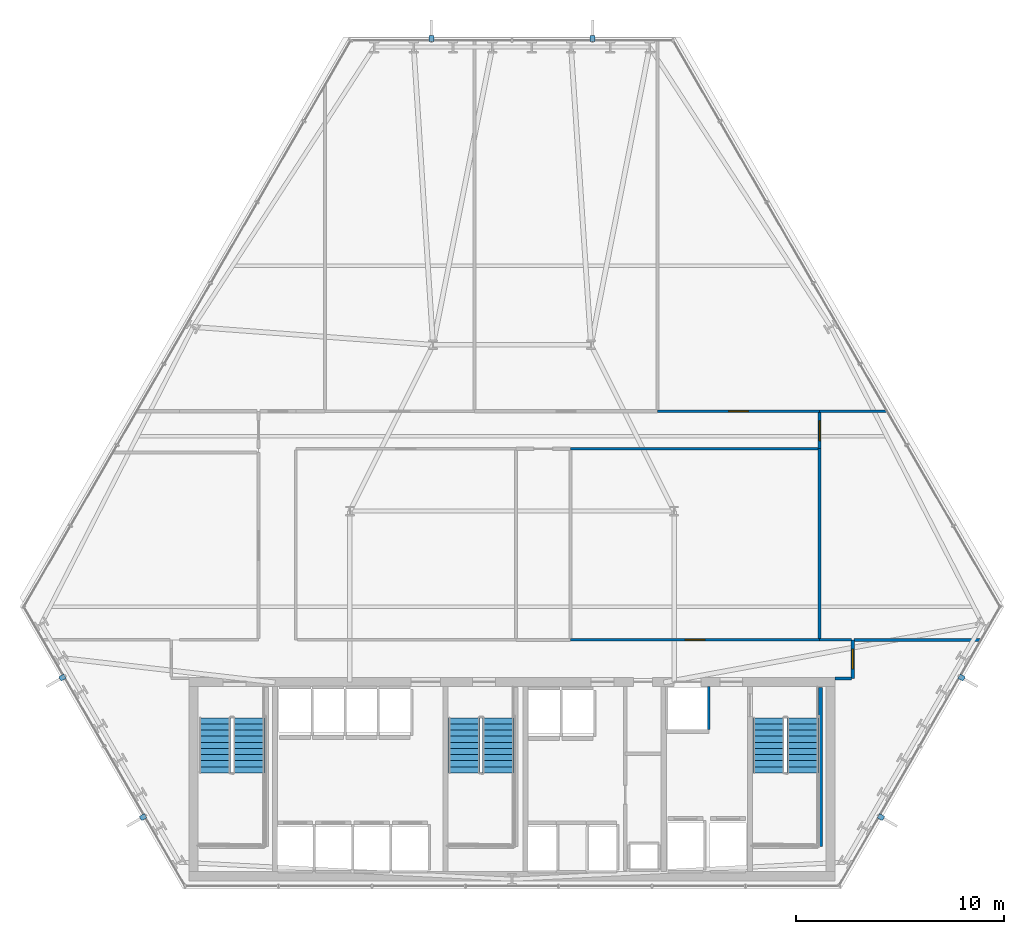
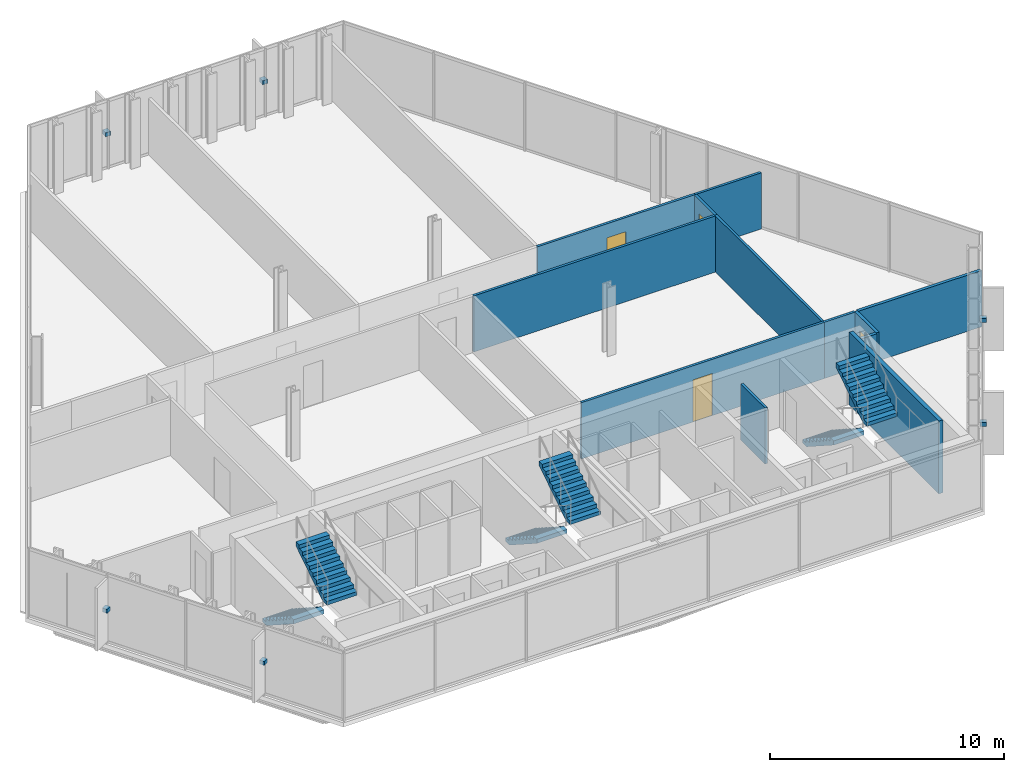
# One storey, part 28 of 32: 12 walls, 6 discrete accessories, 6 stair flights, 4 doors, 4 openings, 3 elements without a shape of their own.
"""IFC4 building model written with IfcOpenShell, lengths in metres."""

from ifc_helpers import new_model, si_unit, direction, frame, frame_2d, origin, origin_2d, place, context, subcontext, project, spatial, polyline, rectangle, outline, extrude, material, layer, layer_set, type_object, element, fill, aggregate, save


model = new_model("IFC4")

# Units and contexts
model_context = context("Model", 3, precision=1e-05, world=origin(), true_north=direction((0.0, 1.0)))
body_context = subcontext(model_context, "Body", "Model", "MODEL_VIEW")
ifc_project = project(units=[si_unit("LENGTHUNIT", "METRE"), si_unit("AREAUNIT", "SQUARE_METRE"), si_unit("VOLUMEUNIT", "CUBIC_METRE"), si_unit("PLANEANGLEUNIT", "RADIAN"), si_unit("MASSUNIT", "GRAM", prefix="KILO")], contexts=[model_context])

# Site, building, storey
site_placement = place(None, origin())
site = spatial("IfcSite", under=ifc_project, at=site_placement, CompositionType="ELEMENT")
building_placement = place(site_placement, origin())
building = spatial("IfcBuilding", under=site, at=building_placement, Name="Ndaravel Arena Tower", CompositionType="ELEMENT")
storey_placement = place(building_placement, frame((0.0, 0.0, 58.800048828125)))
storey = spatial("IfcBuildingStorey", under=building, at=storey_placement, Name="L12", CompositionType="ELEMENT", Elevation=58.800048828125)

# Wall, opening, door
ifc_material_1 = material(Name="Gypsum", Category="gypsum")
ifc_layer_1 = layer(ifc_material_1, 0.125)
ifc_layer_set_1 = layer_set([ifc_layer_1], Name="Gypsum")
wall_type_1 = type_object("IfcWallType", Name="WALL-PART-125", PredefinedType="PARTITIONING", material=ifc_layer_set_1)
wall_1_placement = place(storey_placement, frame((49.0, 28.0, 0.0), z_axis=(0.0, 0.0, 1.0), x_axis=(1.0, 0.0, 0.0)))
wall_1 = element("IfcWall", 1, at=wall_1_placement, inside=storey, type_object=wall_type_1, Name="L12 Interior Partition 012", PredefinedType="PARTITIONING", context=body_context, shape_type="SweptSolid", body=[
    extrude(rectangle(XDim=7.800048828125, YDim=0.125, at=frame_2d((3.89990234375, 0.0))), origin(), (0.0, 0.0, 1.0), 2.932861328125),
])
opening_1_placement = place(wall_1_placement, frame((3.425048828125, 0.0, 0.0)))
opening_1 = element("IfcOpeningElement", 2, at=opening_1_placement, cuts=wall_1, Name="Opening ID-01", PredefinedType="OPENING", context=body_context, shape_type="SweptSolid", body=[
    extrude(rectangle(XDim=0.949951171875, YDim=2.199951171875, at=frame_2d((0.47509765625, 1.10009765625))), frame((0.0, 0.0625, 0.0), z_axis=(0.0, -1.0, 0.0), x_axis=(1.0, 0.0, 0.0)), (0.0, 0.0, 1.0), 0.125),
])
ifc_material_2 = material(Name="Timber", Category="wood")
door_type_1 = type_object("IfcDoorType", Name="DT-03-OFFICE-950", OperationType="SINGLE_SWING_LEFT", PredefinedType="DOOR", material=ifc_material_2)
door_1_placement = place(opening_1_placement, origin())
door_1 = element("IfcDoor", 3, at=door_1_placement, inside=storey, type_object=door_type_1, Name="L12 Barista Galley 3 Door", OperationType="SINGLE_SWING_RIGHT", OverallHeight=2.199951171875, OverallWidth=0.949951171875, PredefinedType="DOOR", context=body_context, shape_type="SweptSolid", body=[
    extrude(rectangle(XDim=0.949951171875, YDim=2.199951171875, at=frame_2d((0.47509765625, 1.10009765625))), frame((0.0, 0.02490234375, 0.0), z_axis=(0.0, -1.0, 0.0), x_axis=(1.0, 0.0, 0.0)), (0.0, 0.0, 1.0), 0.050048828125),
])
fill(opening_1, door_1)

wall_2_placement = place(storey_placement, frame((56.800048828125, 27.93505859375, 0.0), z_axis=(0.0, 0.0, 1.0), x_axis=(0.0, -1.0, 0.0)))
wall_2 = element("IfcWall", 4, at=wall_2_placement, inside=storey, type_object=wall_type_1, Name="L12 Interior Partition 013", PredefinedType="PARTITIONING", context=body_context, shape_type="SweptSolid", body=[
    extrude(rectangle(XDim=1.735107421875, YDim=0.125, at=frame_2d((0.86767578125, 0.0))), origin(), (0.0, 0.0, 1.0), 2.932861328125),
])
opening_2_placement = place(wall_2_placement, frame((0.392578125, 0.0, 0.0)))
opening_2 = element("IfcOpeningElement", 5, at=opening_2_placement, cuts=wall_2, Name="Opening ID-01", PredefinedType="OPENING", context=body_context, shape_type="SweptSolid", body=[
    extrude(rectangle(XDim=0.949951171875, YDim=2.199951171875, at=frame_2d((0.47509765625, 1.10009765625))), frame((0.0, 0.0625, 0.0), z_axis=(0.0, -1.0, 0.0), x_axis=(1.0, 0.0, 0.0)), (0.0, 0.0, 1.0), 0.125),
])
door_2_placement = place(opening_2_placement, origin())
door_2 = element("IfcDoor", 6, at=door_2_placement, inside=storey, type_object=door_type_1, Name="L12 Advisory Desk Office 3 Door", OperationType="SINGLE_SWING_LEFT", OverallHeight=2.199951171875, OverallWidth=0.949951171875, PredefinedType="DOOR", context=body_context, shape_type="SweptSolid", body=[
    extrude(rectangle(XDim=0.949951171875, YDim=2.199951171875, at=frame_2d((0.47509765625, 1.10009765625))), frame((0.0, 0.02490234375, 0.0), z_axis=(0.0, -1.0, 0.0), x_axis=(1.0, 0.0, 0.0)), (0.0, 0.0, 1.0), 0.050048828125),
])
fill(opening_2, door_2)

# Wall
wall_3_placement = place(storey_placement, frame((56.735107421875, 26.199951171875, 0.0), z_axis=(0.0, 0.0, 1.0), x_axis=(-1.0, 0.0, 0.0)))
element("IfcWall", 7, at=wall_3_placement, inside=storey, type_object=wall_type_1, Name="L12 Interior Partition 014", PredefinedType="PARTITIONING", context=body_context, shape_type="SweptSolid", body=[
    extrude(rectangle(XDim=11.920166015625, YDim=0.125, at=frame_2d((5.9599609375, 0.0))), origin(), (0.0, 0.0, 1.0), 2.932861328125),
])

# Wall, opening, door
wall_4_placement = place(storey_placement, frame((44.81494140625, 17.0, 0.0), z_axis=(0.0, 0.0, 1.0), x_axis=(1.0, 0.0, 0.0)))
wall_4 = element("IfcWall", 8, at=wall_4_placement, inside=storey, type_object=wall_type_1, Name="L12 Interior Partition 020", PredefinedType="PARTITIONING", context=body_context, shape_type="SweptSolid", body=[
    extrude(rectangle(XDim=11.985107421875, YDim=0.125, at=frame_2d((5.99267578125, 0.0))), origin(), (0.0, 0.0, 1.0), 2.932861328125),
])
opening_3_placement = place(wall_4_placement, frame((5.517578125, 0.0, 0.0)))
opening_3 = element("IfcOpeningElement", 9, at=opening_3_placement, cuts=wall_4, Name="Opening ID-01", PredefinedType="OPENING", context=body_context, shape_type="SweptSolid", body=[
    extrude(rectangle(XDim=0.949951171875, YDim=2.199951171875, at=frame_2d((0.47509765625, 1.10009765625))), frame((0.0, 0.0625, 0.0), z_axis=(0.0, -1.0, 0.0), x_axis=(1.0, 0.0, 0.0)), (0.0, 0.0, 1.0), 0.125),
])
door_3_placement = place(opening_3_placement, origin())
door_3 = element("IfcDoor", 10, at=door_3_placement, inside=storey, type_object=door_type_1, Name="L12 Cellular Partner Office 2 Door", OperationType="SINGLE_SWING_RIGHT", OverallHeight=2.199951171875, OverallWidth=0.949951171875, PredefinedType="DOOR", context=body_context, shape_type="SweptSolid", body=[
    extrude(rectangle(XDim=0.949951171875, YDim=2.199951171875, at=frame_2d((0.47509765625, 1.10009765625))), frame((0.0, 0.02490234375, 0.0), z_axis=(0.0, -1.0, 0.0), x_axis=(1.0, 0.0, 0.0)), (0.0, 0.0, 1.0), 0.050048828125),
])
fill(opening_3, door_3)

# Walls
wall_5_placement = place(storey_placement, frame((56.800048828125, 17.0, 0.0), z_axis=(0.0, 0.0, 1.0), x_axis=(1.0, 0.0, 0.0)))
element("IfcWall", 11, at=wall_5_placement, inside=storey, type_object=wall_type_1, Name="L12 Interior Partition 021", PredefinedType="PARTITIONING", context=body_context, shape_type="SweptSolid", body=[
    extrude(rectangle(XDim=1.534912109375, YDim=0.125, at=frame_2d((0.767578125, 0.0))), origin(), (0.0, 0.0, 1.0), 2.932861328125),
])
wall_6_placement = place(storey_placement, frame((56.800048828125, 26.199951171875, 0.0), z_axis=(0.0, 0.0, 1.0), x_axis=(0.0, -1.0, 0.0)))
element("IfcWall", 12, at=wall_6_placement, inside=storey, type_object=wall_type_1, Name="L12 Interior Partition 027", PredefinedType="PARTITIONING", context=body_context, shape_type="SweptSolid", body=[
    extrude(rectangle(XDim=9.135009765625, YDim=0.125, at=frame_2d((4.5673828125, 0.0))), origin(), (0.0, 0.0, 1.0), 2.932861328125),
])
wall_7_placement = place(storey_placement, frame((56.800048828125, 28.0, 0.0), z_axis=(0.0, 0.0, 1.0), x_axis=(1.0, 0.0, 0.0)))
element("IfcWall", 13, at=wall_7_placement, inside=storey, type_object=wall_type_1, Name="L12 Interior Partition 028", PredefinedType="PARTITIONING", context=body_context, shape_type="SweptSolid", body=[
    extrude(rectangle(XDim=3.260498046875, YDim=0.125, at=frame_2d((1.63037109375, 0.0))), origin(), (0.0, 0.0, 1.0), 2.932861328125),
])
ifc_material_3 = material(Name="Concrete C40/50", Category="concrete")
ifc_layer_2 = layer(ifc_material_3, 0.1201171875)
ifc_layer_set_2 = layer_set([ifc_layer_2], Name="Concrete C40/50")
wall_type_2 = type_object("IfcWallType", Name="WALL-SHAFT-120", PredefinedType="SOLIDWALL", material=ifc_layer_set_2)
wall_8_placement = place(storey_placement, frame((51.47998046875, 12.68994140625, 0.0), z_axis=(0.0, 0.0, 1.0), x_axis=(0.0, 1.0, 0.0)))
element("IfcWall", 14, at=wall_8_placement, inside=storey, type_object=wall_type_2, Name="L12 SVL-1 Shaft E Wall", PredefinedType="SOLIDWALL", context=body_context, shape_type="SweptSolid", body=[
    extrude(rectangle(XDim=2.070068359375, YDim=0.1201171875, at=frame_2d((1.03515625, 0.0))), origin(), (0.0, 0.0, 1.0), 2.932861328125),
])
ifc_material_4 = material(Name="Concrete C40/50", Category="concrete")
ifc_layer_3 = layer(ifc_material_4, 0.199951171875)
ifc_layer_set_3 = layer_set([ifc_layer_3], Name="Concrete C40/50")
wall_type_3 = type_object("IfcWallType", Name="WALL-SHAFT-200", PredefinedType="SOLIDWALL", material=ifc_layer_set_3)
wall_9_placement = place(storey_placement, frame((56.840087890625, 14.699951171875, 0.0), z_axis=(0.0, 0.0, 1.0), x_axis=(0.0, -1.0, 0.0)))
element("IfcWall", 15, at=wall_9_placement, inside=storey, type_object=wall_type_3, Name="L12 ST-3 Structural Shaft Wall Right", PredefinedType="SOLIDWALL", context=body_context, shape_type="SweptSolid", body=[
    extrude(rectangle(XDim=7.64990234375, YDim=0.199951171875, at=frame_2d((3.824951171875, 0.0))), origin(), (0.0, 0.0, 1.0), 3.800048828125),
])

# Wall, opening, door
ifc_material_5 = material(Name="Masonry", Category="masonry")
ifc_layer_4 = layer(ifc_material_5, 0.14990234375)
ifc_layer_set_4 = layer_set([ifc_layer_4], Name="Masonry")
wall_type_4 = type_object("IfcWallType", Name="WALL-WET-150", PredefinedType="PARTITIONING", material=ifc_layer_set_4)
wall_10_placement = place(storey_placement, frame((58.39990234375, 17.0, 0.0), z_axis=(0.0, 0.0, 1.0), x_axis=(0.0, -1.0, 0.0)))
wall_10 = element("IfcWall", 16, at=wall_10_placement, inside=storey, type_object=wall_type_4, Name="L12 Interior Partition 001", PredefinedType="PARTITIONING", context=body_context, shape_type="SweptSolid", body=[
    extrude(rectangle(XDim=1.85009765625, YDim=0.14990234375, at=frame_2d((0.925048828125, 0.0))), origin(), (0.0, 0.0, 1.0), 2.932861328125),
])
opening_4_placement = place(wall_10_placement, frame((0.449951171875, 0.0, 0.0)))
opening_4 = element("IfcOpeningElement", 17, at=opening_4_placement, cuts=wall_10, Name="Opening FD-03", PredefinedType="OPENING", context=body_context, shape_type="SweptSolid", body=[
    extrude(rectangle(XDim=0.949951171875, YDim=2.199951171875, at=frame_2d((0.47509765625, 1.10009765625))), frame((0.0, 0.074951171875, 0.0), z_axis=(0.0, -1.0, 0.0), x_axis=(1.0, 0.0, 0.0)), (0.0, 0.0, 1.0), 0.14990234375),
])
ifc_material_6 = material(Name="Steel S355", Category="steel")
door_type_2 = type_object("IfcDoorType", Name="DT-11-CORE-950", OperationType="SINGLE_SWING_LEFT", PredefinedType="DOOR", material=ifc_material_6)
door_4_placement = place(opening_4_placement, origin())
door_4 = element("IfcDoor", 18, at=door_4_placement, inside=storey, type_object=door_type_2, Name="L12 Staff Espresso Kitchen Door", OperationType="SINGLE_SWING_RIGHT", OverallHeight=2.199951171875, OverallWidth=0.949951171875, PredefinedType="DOOR", context=body_context, shape_type="SweptSolid", body=[
    extrude(rectangle(XDim=0.949951171875, YDim=2.199951171875, at=frame_2d((0.47509765625, 1.10009765625))), frame((0.0, 0.02490234375, 0.0), z_axis=(0.0, -1.0, 0.0), x_axis=(1.0, 0.0, 0.0)), (0.0, 0.0, 1.0), 0.050048828125),
])
fill(opening_4, door_4)

# Walls
wall_11_placement = place(storey_placement, frame((58.3349609375, 15.14990234375, 0.0), z_axis=(0.0, 0.0, 1.0), x_axis=(-1.0, 0.0, 0.0)))
element("IfcWall", 19, at=wall_11_placement, inside=storey, type_object=wall_type_4, Name="L12 Interior Partition 002", PredefinedType="PARTITIONING", context=body_context, shape_type="SweptSolid", body=[
    extrude(rectangle(XDim=0.784912109375, YDim=0.14990234375, at=frame_2d((0.392578125, 0.0))), origin(), (0.0, 0.0, 1.0), 2.932861328125),
])
wall_12_placement = place(storey_placement, frame((58.465087890625, 17.0, 0.0), z_axis=(0.0, 0.0, 1.0), x_axis=(1.0, 0.0, 0.0)))
element("IfcWall", 20, at=wall_12_placement, inside=storey, type_object=wall_type_4, Name="L12 Interior Partition 023", PredefinedType="PARTITIONING", context=body_context, shape_type="SweptSolid", body=[
    extrude(rectangle(XDim=6.105712890625, YDim=0.14990234375, at=frame_2d((3.052734375, 0.0))), origin(), (0.0, 0.0, 1.0), 2.932861328125),
])

# Stair, stair flights
ifc_material_7 = material(Name="Concrete C40/50", Category="concrete")
stair_type = type_object("IfcStairType", Name="STAIR-CORE-HT", PredefinedType="HALF_TURN_STAIR", material=ifc_material_7)
stair_1_placement = place(storey_placement, origin())
stair_1 = element("IfcStair", 21, at=stair_1_placement, inside=storey, type_object=stair_type, Name="L12 ST-1", PredefinedType="HALF_TURN_STAIR")
ifc_material_8 = material(Name="Concrete C40/50", Category="concrete")
stair_flight_type = type_object("IfcStairFlightType", Name="SFLIGHT-CORE-1680", PredefinedType="STRAIGHT", material=ifc_material_8)
stair_flight_1_placement = place(storey_placement, frame((27.699951171875, 13.25, 0.0), z_axis=(0.0, 0.0, 1.0), x_axis=(0.0, -1.0, 0.0)))
stair_flight_1 = element("IfcStairFlight", 22, at=stair_flight_1_placement, type_object=stair_flight_type, Name="ST-1 flight 1", NumberOfRisers=10, NumberOfTreads=9, PredefinedType="STRAIGHT", RiserHeight=0.19, TreadLength=0.295, context=body_context, shape_type="SweptSolid", body=[
    extrude(outline(polyline([(0.0, 0.0), (0.0, 0.18994140625), (0.294921875, 0.18994140625), (0.294921875, 0.3798828125), (0.590087890625, 0.3798828125), (0.590087890625, 0.570068359375), (0.885009765625, 0.570068359375), (0.885009765625, 0.760009765625), (1.179931640625, 0.760009765625), (1.179931640625, 0.949951171875), (1.47509765625, 0.949951171875), (1.47509765625, 1.139892578125), (1.77001953125, 1.139892578125), (1.77001953125, 1.330078125), (2.06494140625, 1.330078125), (2.06494140625, 1.52001953125), (2.360107421875, 1.52001953125), (2.360107421875, 1.7099609375), (2.655029296875, 1.7099609375), (2.655029296875, 1.89990234375), (2.655029296875, 1.49609375), (0.332275390625, 0.0), (0.0, 0.0)])), frame((0.0, 0.75, 0.0), z_axis=(0.0, -1.0, 0.0), x_axis=(1.0, 0.0, 0.0)), (0.0, 0.0, 1.0), 1.5),
])
stair_flight_2_placement = place(storey_placement, frame((29.340087890625, 10.594970703125, 1.89990234375), z_axis=(0.0, 0.0, 1.0), x_axis=(0.0, 1.0, 0.0)))
stair_flight_2 = element("IfcStairFlight", 23, at=stair_flight_2_placement, type_object=stair_flight_type, Name="ST-1 flight 2", NumberOfRisers=10, NumberOfTreads=9, PredefinedType="STRAIGHT", RiserHeight=0.19, TreadLength=0.295, context=body_context, shape_type="SweptSolid", body=[
    extrude(outline(polyline([(0.0, 0.0), (0.0, 0.18994140625), (0.294921875, 0.18994140625), (0.294921875, 0.3798828125), (0.590087890625, 0.3798828125), (0.590087890625, 0.570068359375), (0.885009765625, 0.570068359375), (0.885009765625, 0.760009765625), (1.179931640625, 0.760009765625), (1.179931640625, 0.949951171875), (1.47509765625, 0.949951171875), (1.47509765625, 1.139892578125), (1.77001953125, 1.139892578125), (1.77001953125, 1.330078125), (2.06494140625, 1.330078125), (2.06494140625, 1.52001953125), (2.360107421875, 1.52001953125), (2.360107421875, 1.7099609375), (2.655029296875, 1.7099609375), (2.655029296875, 1.89990234375), (2.655029296875, 1.49609375), (0.332275390625, 0.0), (0.0, 0.0)])), frame((0.0, 0.75, 0.0), z_axis=(0.0, -1.0, 0.0), x_axis=(1.0, 0.0, 0.0)), (0.0, 0.0, 1.0), 1.5),
])
aggregate(stair_1, [stair_flight_1, stair_flight_2])

stair_2_placement = place(storey_placement, origin())
stair_2 = element("IfcStair", 24, at=stair_2_placement, inside=storey, type_object=stair_type, Name="L12 ST-2", PredefinedType="HALF_TURN_STAIR")
stair_flight_3_placement = place(storey_placement, frame((39.699951171875, 13.25, 0.0), z_axis=(0.0, 0.0, 1.0), x_axis=(0.0, -1.0, 0.0)))
stair_flight_3 = element("IfcStairFlight", 25, at=stair_flight_3_placement, type_object=stair_flight_type, Name="ST-2 flight 1", NumberOfRisers=10, NumberOfTreads=9, PredefinedType="STRAIGHT", RiserHeight=0.19, TreadLength=0.295, context=body_context, shape_type="SweptSolid", body=[
    extrude(outline(polyline([(0.0, 0.0), (0.0, 0.18994140625), (0.294921875, 0.18994140625), (0.294921875, 0.3798828125), (0.590087890625, 0.3798828125), (0.590087890625, 0.570068359375), (0.885009765625, 0.570068359375), (0.885009765625, 0.760009765625), (1.179931640625, 0.760009765625), (1.179931640625, 0.949951171875), (1.47509765625, 0.949951171875), (1.47509765625, 1.139892578125), (1.77001953125, 1.139892578125), (1.77001953125, 1.330078125), (2.06494140625, 1.330078125), (2.06494140625, 1.52001953125), (2.360107421875, 1.52001953125), (2.360107421875, 1.7099609375), (2.655029296875, 1.7099609375), (2.655029296875, 1.89990234375), (2.655029296875, 1.49609375), (0.332275390625, 0.0), (0.0, 0.0)])), frame((0.0, 0.75, 0.0), z_axis=(0.0, -1.0, 0.0), x_axis=(1.0, 0.0, 0.0)), (0.0, 0.0, 1.0), 1.5),
])
stair_flight_4_placement = place(storey_placement, frame((41.340087890625, 10.594970703125, 1.89990234375), z_axis=(0.0, 0.0, 1.0), x_axis=(0.0, 1.0, 0.0)))
stair_flight_4 = element("IfcStairFlight", 26, at=stair_flight_4_placement, type_object=stair_flight_type, Name="ST-2 flight 2", NumberOfRisers=10, NumberOfTreads=9, PredefinedType="STRAIGHT", RiserHeight=0.19, TreadLength=0.295, context=body_context, shape_type="SweptSolid", body=[
    extrude(outline(polyline([(0.0, 0.0), (0.0, 0.18994140625), (0.294921875, 0.18994140625), (0.294921875, 0.3798828125), (0.590087890625, 0.3798828125), (0.590087890625, 0.570068359375), (0.885009765625, 0.570068359375), (0.885009765625, 0.760009765625), (1.179931640625, 0.760009765625), (1.179931640625, 0.949951171875), (1.47509765625, 0.949951171875), (1.47509765625, 1.139892578125), (1.77001953125, 1.139892578125), (1.77001953125, 1.330078125), (2.06494140625, 1.330078125), (2.06494140625, 1.52001953125), (2.360107421875, 1.52001953125), (2.360107421875, 1.7099609375), (2.655029296875, 1.7099609375), (2.655029296875, 1.89990234375), (2.655029296875, 1.49609375), (0.332275390625, 0.0), (0.0, 0.0)])), frame((0.0, 0.75, 0.0), z_axis=(0.0, -1.0, 0.0), x_axis=(1.0, 0.0, 0.0)), (0.0, 0.0, 1.0), 1.5),
])
aggregate(stair_2, [stair_flight_3, stair_flight_4])

stair_3_placement = place(storey_placement, origin())
stair_3 = element("IfcStair", 27, at=stair_3_placement, inside=storey, type_object=stair_type, Name="L12 ST-3", PredefinedType="HALF_TURN_STAIR")
stair_flight_5_placement = place(storey_placement, frame((54.35009765625, 13.25, 0.0), z_axis=(0.0, 0.0, 1.0), x_axis=(0.0, -1.0, 0.0)))
stair_flight_5 = element("IfcStairFlight", 28, at=stair_flight_5_placement, type_object=stair_flight_type, Name="ST-3 flight 1", NumberOfRisers=10, NumberOfTreads=9, PredefinedType="STRAIGHT", RiserHeight=0.19, TreadLength=0.295, context=body_context, shape_type="SweptSolid", body=[
    extrude(outline(polyline([(0.0, 0.0), (0.0, 0.18994140625), (0.294921875, 0.18994140625), (0.294921875, 0.3798828125), (0.590087890625, 0.3798828125), (0.590087890625, 0.570068359375), (0.885009765625, 0.570068359375), (0.885009765625, 0.760009765625), (1.179931640625, 0.760009765625), (1.179931640625, 0.949951171875), (1.47509765625, 0.949951171875), (1.47509765625, 1.139892578125), (1.77001953125, 1.139892578125), (1.77001953125, 1.330078125), (2.06494140625, 1.330078125), (2.06494140625, 1.52001953125), (2.360107421875, 1.52001953125), (2.360107421875, 1.7099609375), (2.655029296875, 1.7099609375), (2.655029296875, 1.89990234375), (2.655029296875, 1.49609375), (0.332275390625, 0.0), (0.0, 0.0)])), frame((0.0, 0.75, 0.0), z_axis=(0.0, -1.0, 0.0), x_axis=(1.0, 0.0, 0.0)), (0.0, 0.0, 1.0), 1.5),
])
stair_flight_6_placement = place(storey_placement, frame((55.989990234375, 10.594970703125, 1.89990234375), z_axis=(0.0, 0.0, 1.0), x_axis=(0.0, 1.0, 0.0)))
stair_flight_6 = element("IfcStairFlight", 29, at=stair_flight_6_placement, type_object=stair_flight_type, Name="ST-3 flight 2", NumberOfRisers=10, NumberOfTreads=9, PredefinedType="STRAIGHT", RiserHeight=0.19, TreadLength=0.295, context=body_context, shape_type="SweptSolid", body=[
    extrude(outline(polyline([(0.0, 0.0), (0.0, 0.18994140625), (0.294921875, 0.18994140625), (0.294921875, 0.3798828125), (0.590087890625, 0.3798828125), (0.590087890625, 0.570068359375), (0.885009765625, 0.570068359375), (0.885009765625, 0.760009765625), (1.179931640625, 0.760009765625), (1.179931640625, 0.949951171875), (1.47509765625, 0.949951171875), (1.47509765625, 1.139892578125), (1.77001953125, 1.139892578125), (1.77001953125, 1.330078125), (2.06494140625, 1.330078125), (2.06494140625, 1.52001953125), (2.360107421875, 1.52001953125), (2.360107421875, 1.7099609375), (2.655029296875, 1.7099609375), (2.655029296875, 1.89990234375), (2.655029296875, 1.49609375), (0.332275390625, 0.0), (0.0, 0.0)])), frame((0.0, 0.75, 0.0), z_axis=(0.0, -1.0, 0.0), x_axis=(1.0, 0.0, 0.0)), (0.0, 0.0, 1.0), 1.5),
])
aggregate(stair_3, [stair_flight_5, stair_flight_6])

# Discrete accessories
ifc_material_9 = material(Name="Steel S355", Category="steel")
discrete_accessory_type = type_object("IfcDiscreteAccessoryType", Name="ACC-BRACKET-FIN", PredefinedType="BRACKET", material=ifc_material_9)
for number, where, z_axis, x_axis, name in (
    (30, (59.760498046875, 8.468505859375, 1.68994140625), (0.0, 0.0, 1.0), (0.866025403784, -0.5, 0.0), "L12 Mazeras Stone Solar Fin E2.1 Bracket"),
    (31, (63.638671875, 15.185302734375, 1.68994140625), (0.0, 0.0, 1.0), (0.866025403784, -0.5, 0.0), "L12 Mazeras Stone Solar Fin E2.2 Bracket"),
    (32, (45.878173828125, 45.947998046875, 1.68994140625), (0.0, 0.0, 1.0), (0.0, 1.0, 0.0), "L12 Mazeras Stone Solar Fin E4.1 Bracket"),
    (33, (38.121826171875, 45.947998046875, 1.68994140625), (0.0, 0.0, 1.0), (0.0, 1.0, 0.0), "L12 Mazeras Stone Solar Fin E4.2 Bracket"),
    (34, (20.361328125, 15.185302734375, 1.68994140625), (0.0, 0.0, 1.0), (-0.866025403784, -0.5, 0.0), "L12 Mazeras Stone Solar Fin E6.1 Bracket"),
    (35, (24.239501953125, 8.468505859375, 1.68994140625), (0.0, 0.0, 1.0), (-0.866025403784, -0.5, 0.0), "L12 Mazeras Stone Solar Fin E6.2 Bracket"),
):
    element("IfcDiscreteAccessory", number, at=place(storey_placement, frame(where, z_axis=z_axis, x_axis=x_axis)), inside=storey, type_object=discrete_accessory_type, Name=name, PredefinedType="BRACKET", context=body_context, shape_type="SweptSolid", body=[
        extrude(rectangle(XDim=0.280029296875, YDim=0.239990234375, at=origin_2d()), origin(), (0.0, 0.0, 1.0), 0.199951171875),
    ])

save(model, "model.ifc")
